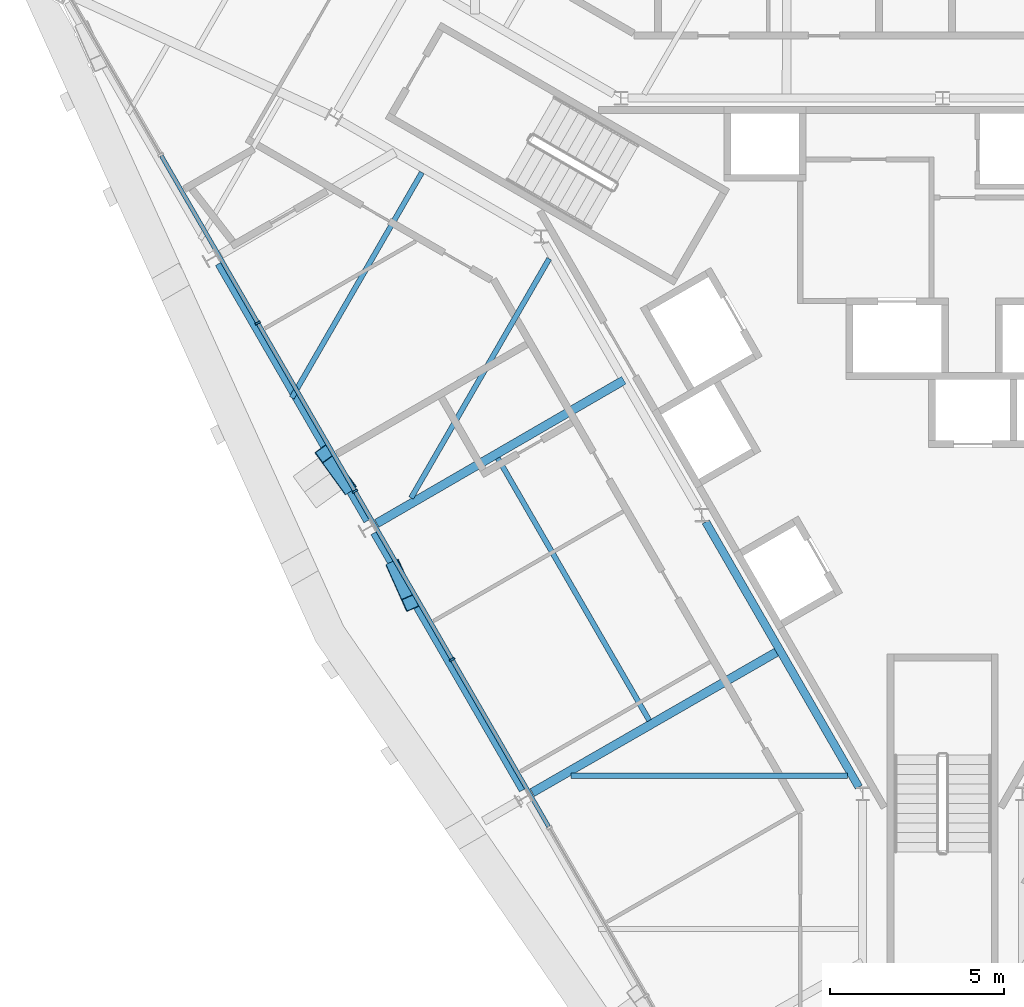
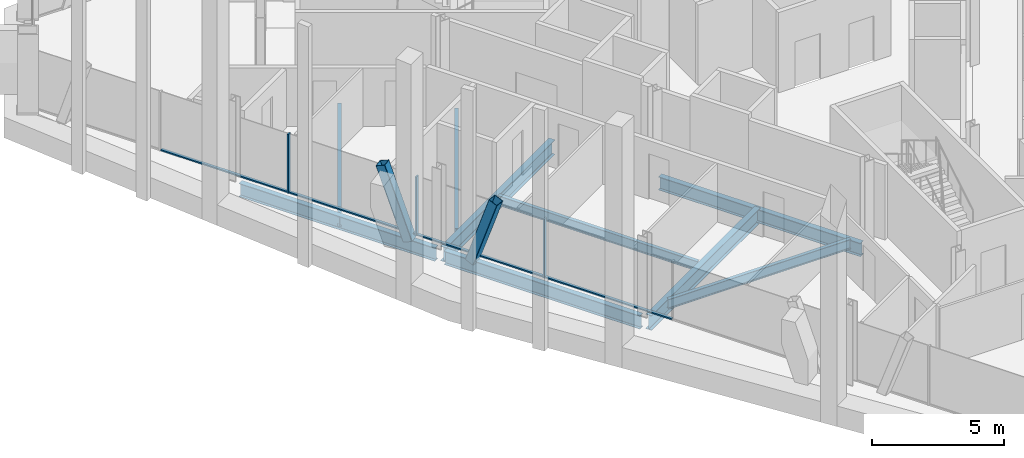
# One storey, part 4 of 16: 9 beams, 9 members, 1 element without a shape of its own.
"""IFC4 building model written with IfcOpenShell, lengths in metres."""

from ifc_helpers import new_model, si_unit, direction, frame, origin, origin_2d, place, context, subcontext, project, spatial, rectangle, hollow_rectangle, i_section, extrude, material, material_profile, profile_set, type_object, element, aggregate, save


model = new_model("IFC4")

# Units and contexts
model_context = context("Model", 3, precision=1e-05, world=origin(), true_north=direction((0.0, 1.0)))
body_context = subcontext(model_context, "Body", "Model", "MODEL_VIEW")
ifc_project = project(units=[si_unit("LENGTHUNIT", "METRE"), si_unit("AREAUNIT", "SQUARE_METRE"), si_unit("VOLUMEUNIT", "CUBIC_METRE"), si_unit("PLANEANGLEUNIT", "RADIAN"), si_unit("MASSUNIT", "GRAM", prefix="KILO")], contexts=[model_context])

# Site, building, storey
site_placement = place(None, origin())
site = spatial("IfcSite", under=ifc_project, at=site_placement, CompositionType="ELEMENT")
building_placement = place(site_placement, origin())
building = spatial("IfcBuilding", under=site, at=building_placement, Name="Verrane Prism Tower", CompositionType="ELEMENT")
storey_placement = place(building_placement, frame((0.0, 0.0, 236.0)))
storey = spatial("IfcBuildingStorey", under=building, at=storey_placement, Name="L59", CompositionType="ELEMENT", Elevation=236.0)

# Beam
ifc_material_1 = material(Name="Steel A992", Category="steel")
ifc_material_profile_1 = material_profile(ifc_material_1, i_section(OverallWidth=0.23046875, OverallDepth=0.6171875, WebThickness=0.01318359375, FlangeThickness=0.022216796875, FilletRadius=0.012939453125, at=origin_2d()), Name="W24x94")
ifc_profile_set_1 = profile_set([ifc_material_profile_1], Name="Steel A992")
beam_type_1 = type_object("IfcBeamType", Name="Core ring girder W24x94", PredefinedType="BEAM", material=ifc_profile_set_1)
beam_1_placement = place(storey_placement, frame((-6.818603515625, -4.193115234375, -0.55859375), z_axis=(0.499987781028, -0.866032458297, 0.0), x_axis=(0.866032458297, 0.499987781028, 0.0)))
element("IfcBeam", 1, at=beam_1_placement, inside=storey, type_object=beam_type_1, Name="Core ring girder L59", PredefinedType="BEAM", context=body_context, shape_type="SweptSolid", body=[
    extrude(i_section(OverallWidth=0.23046875, OverallDepth=0.6171875, WebThickness=0.01318359375, FlangeThickness=0.022216796875, FilletRadius=0.012939453125, at=origin_2d()), origin(), (0.0, 0.0, 1.0), 8.814697265625),
])

# Members
ifc_material_2 = material(Name="Steel A500 Grade C", Category="steel")
ifc_material_profile_2 = material_profile(ifc_material_2, hollow_rectangle(XDim=0.406494140625, YDim=0.406494140625, WallThickness=0.01904296875, InnerFilletRadius=0.009521484375, OuterFilletRadius=0.028564453125, at=origin_2d()), Name="HSS16x16x3/4")
ifc_profile_set_2 = profile_set([ifc_material_profile_2], Name="Steel A500 Grade C")
member_type_1 = type_object("IfcMemberType", Name="Facade brace HSS16x16x3/4", PredefinedType="BRACE", material=ifc_profile_set_2)
member_1_placement = place(storey_placement, frame((-17.13671875, -3.150634765625, -0.216796875), z_axis=(-0.195259685921, 0.269661476978, 0.942950869817), x_axis=(-0.809959839754, -0.586485343369, 0.0)))
element("IfcMember", 2, at=member_1_placement, inside=storey, type_object=member_type_1, Name="Facade brace SW1 L59", PredefinedType="BRACE", context=body_context, shape_type="SweptSolid", body=[
    extrude(hollow_rectangle(XDim=0.406494140625, YDim=0.406494140625, WallThickness=0.01904296875, InnerFilletRadius=0.009521484375, OuterFilletRadius=0.028564453125, at=origin_2d()), origin(), (0.0, 0.0, 1.0), 3.3896484375),
])
member_2_placement = place(storey_placement, frame((-15.770263671875, -5.515625, -0.216796875), z_axis=(0.132975288548, -0.298436396773, 0.945120780491), x_axis=(0.913428457808, 0.406999327354, 0.0)))
element("IfcMember", 3, at=member_2_placement, inside=storey, type_object=member_type_1, Name="Facade brace SW2 L59", PredefinedType="BRACE", context=body_context, shape_type="SweptSolid", body=[
    extrude(hollow_rectangle(XDim=0.406494140625, YDim=0.406494140625, WallThickness=0.01904296875, InnerFilletRadius=0.009521484375, OuterFilletRadius=0.028564453125, at=origin_2d()), origin(), (0.0, 0.0, 1.0), 3.3818359375),
])

# Beams
ifc_material_3 = material(Name="Steel A992", Category="steel")
ifc_material_profile_3 = material_profile(ifc_material_3, i_section(OverallWidth=0.15234375, OverallDepth=0.449462890625, WebThickness=0.007568359375, FlangeThickness=0.0107421875, FilletRadius=0.01025390625, at=origin_2d()), Name="W18x35")
ifc_profile_set_3 = profile_set([ifc_material_profile_3], Name="Steel A992")
beam_type_2 = type_object("IfcBeamType", Name="Floor beam W18x35", PredefinedType="BEAM", material=ifc_profile_set_3)
beam_2_placement = place(storey_placement, frame((-15.298095703125, -3.505615234375, -0.384765625), z_axis=(0.49999004381, 0.866031151917, 0.0), x_axis=(-0.866031151917, 0.49999004381, 0.0)))
element("IfcBeam", 4, at=beam_2_placement, inside=storey, type_object=beam_type_2, Name="Floor beam L59", PredefinedType="BEAM", context=body_context, shape_type="SweptSolid", body=[
    extrude(i_section(OverallWidth=0.15234375, OverallDepth=0.449462890625, WebThickness=0.007568359375, FlangeThickness=0.0107421875, FilletRadius=0.01025390625, at=origin_2d()), origin(), (0.0, 0.0, 1.0), 7.950439453125),
])
beam_3_placement = place(storey_placement, frame((-18.731201171875, -0.622802734375, -0.384765625), z_axis=(0.499985869662, 0.866033561785, 0.0), x_axis=(-0.866033561785, 0.499985869662, 0.0)))
element("IfcBeam", 5, at=beam_3_placement, inside=storey, type_object=beam_type_2, Name="Floor beam L59", PredefinedType="BEAM", context=body_context, shape_type="SweptSolid", body=[
    extrude(i_section(OverallWidth=0.15234375, OverallDepth=0.449462890625, WebThickness=0.007568359375, FlangeThickness=0.0107421875, FilletRadius=0.01025390625, at=origin_2d()), origin(), (0.0, 0.0, 1.0), 7.488037109375),
])
beam_4_placement = place(storey_placement, frame((-8.442626953125, -9.90966796875, -0.384765625), z_axis=(-0.500012552615, 0.866018156408, 0.0), x_axis=(-0.866018156408, -0.500012552615, 0.0)))
element("IfcBeam", 6, at=beam_4_placement, inside=storey, type_object=beam_type_2, Name="Floor beam L59", PredefinedType="BEAM", context=body_context, shape_type="SweptSolid", body=[
    extrude(i_section(OverallWidth=0.15234375, OverallDepth=0.449462890625, WebThickness=0.007568359375, FlangeThickness=0.0107421875, FilletRadius=0.01025390625, at=origin_2d()), origin(), (0.0, 0.0, 1.0), 8.717529296875),
])
beam_5_placement = place(storey_placement, frame((-10.689208984375, -11.5, -0.384765625), z_axis=(1.0, 0.0, 0.0), x_axis=(0.0, 1.0, 0.0)))
element("IfcBeam", 7, at=beam_5_placement, inside=storey, type_object=beam_type_2, Name="Floor beam L59", PredefinedType="BEAM", context=body_context, shape_type="SweptSolid", body=[
    extrude(i_section(OverallWidth=0.15234375, OverallDepth=0.449462890625, WebThickness=0.007568359375, FlangeThickness=0.0107421875, FilletRadius=0.01025390625, at=origin_2d()), origin(), (0.0, 0.0, 1.0), 7.95556640625),
])

# Curtain wall, members
ifc_material_4 = material(Name="Aluminium framed insulated glazing", Category="aluminium")
curtain_wall_type = type_object("IfcCurtainWallType", Name="Curtain wall CW-B 5600 module", PredefinedType="NOTDEFINED", material=ifc_material_4)
curtain_wall_placement = place(storey_placement, origin())
curtain_wall = element("IfcCurtainWall", 8, at=curtain_wall_placement, inside=storey, type_object=curtain_wall_type, Name="Glazed curtain wall south-west face L59", PredefinedType="NOTDEFINED")
ifc_material_5 = material(Name="Aluminium alloy 6063-T6", Category="aluminium")
ifc_material_profile_4 = material_profile(ifc_material_5, rectangle(XDim=0.159912109375, YDim=0.06005859375, at=origin_2d()), Name="Mullion 60x160 aluminium")
ifc_profile_set_4 = profile_set([ifc_material_profile_4], Name="Aluminium alloy 6063-T6")
member_type_2 = type_object("IfcMemberType", Name="Mullion 60x160 aluminium", PredefinedType="MULLION", material=ifc_profile_set_4)
member_3_placement = place(storey_placement, frame((-19.707763671875, 1.53125, 0.0), z_axis=(0.0, 0.0, 1.0), x_axis=(0.866025759098, 0.499999384578, 0.0)))
member_3 = element("IfcMember", 9, at=member_3_placement, type_object=member_type_2, Name="CW59.4 mullion 3", PredefinedType="MULLION", context=body_context, shape_type="SweptSolid", body=[
    extrude(rectangle(XDim=0.159912109375, YDim=0.06005859375, at=origin_2d()), origin(), (0.0, 0.0, 1.0), 2.712890625),
])
member_4_placement = place(storey_placement, frame((-16.91259765625, -3.309814453125, 0.0), z_axis=(0.0, 0.0, 1.0), x_axis=(0.866025759098, 0.499999384578, 0.0)))
member_4 = element("IfcMember", 10, at=member_4_placement, type_object=member_type_2, Name="CW59.4 mullion 4", PredefinedType="MULLION", context=body_context, shape_type="SweptSolid", body=[
    extrude(rectangle(XDim=0.159912109375, YDim=0.06005859375, at=origin_2d()), origin(), (0.0, 0.0, 1.0), 2.712890625),
])
member_5_placement = place(storey_placement, frame((-14.11767578125, -8.15087890625, 0.0), z_axis=(0.0, 0.0, 1.0), x_axis=(0.866025759098, 0.499999384578, 0.0)))
member_5 = element("IfcMember", 11, at=member_5_placement, type_object=member_type_2, Name="CW59.4 mullion 5", PredefinedType="MULLION", context=body_context, shape_type="SweptSolid", body=[
    extrude(rectangle(XDim=0.159912109375, YDim=0.06005859375, at=origin_2d()), origin(), (0.0, 0.0, 1.0), 2.712890625),
])

# Beams
ifc_material_6 = material(Name="Steel A992", Category="steel")
ifc_material_profile_5 = material_profile(ifc_material_6, i_section(OverallWidth=0.25390625, OverallDepth=0.683349609375, WebThickness=0.012451171875, FlangeThickness=0.01904296875, FilletRadius=0.01513671875, at=origin_2d()), Name="W27x94")
ifc_profile_set_5 = profile_set([ifc_material_profile_5], Name="Steel A992")
beam_type_3 = type_object("IfcBeamType", Name="Radial girder W27x94", PredefinedType="BEAM", material=ifc_profile_set_5)
beam_6_placement = place(storey_placement, frame((-16.285888671875, -4.237060546875, -0.5615234375), z_axis=(0.865215435762, 0.50140028891, 0.0), x_axis=(-0.50140028891, 0.865215435762, 0.0)))
element("IfcBeam", 12, at=beam_6_placement, inside=storey, type_object=beam_type_3, Name="Radial girder L59", PredefinedType="BEAM", context=body_context, shape_type="SweptSolid", body=[
    extrude(i_section(OverallWidth=0.25390625, OverallDepth=0.683349609375, WebThickness=0.012451171875, FlangeThickness=0.01904296875, FilletRadius=0.01513671875, at=origin_2d()), origin(), (0.0, 0.0, 1.0), 8.22119140625),
])
beam_7_placement = place(storey_placement, frame((-11.810302734375, -11.984619140625, -0.5615234375), z_axis=(0.86684307547, 0.498581069144, 0.0), x_axis=(-0.498581069144, 0.86684307547, 0.0)))
element("IfcBeam", 13, at=beam_7_placement, inside=storey, type_object=beam_type_3, Name="Radial girder L59", PredefinedType="BEAM", context=body_context, shape_type="SweptSolid", body=[
    extrude(i_section(OverallWidth=0.25390625, OverallDepth=0.683349609375, WebThickness=0.012451171875, FlangeThickness=0.01904296875, FilletRadius=0.01513671875, at=origin_2d()), origin(), (0.0, 0.0, 1.0), 8.21875),
])
ifc_material_7 = material(Name="Steel A992", Category="steel")
ifc_material_profile_6 = material_profile(ifc_material_7, i_section(OverallWidth=0.23046875, OverallDepth=0.6171875, WebThickness=0.01318359375, FlangeThickness=0.022216796875, FilletRadius=0.012939453125, at=origin_2d()), Name="W24x94")
ifc_profile_set_6 = profile_set([ifc_material_profile_6], Name="Steel A992")
beam_type_4 = type_object("IfcBeamType", Name="Spandrel beam W24x94", PredefinedType="SPANDREL", material=ifc_profile_set_6)
beam_8_placement = place(storey_placement, frame((-20.829833984375, 3.240478515625, -0.468505859375), z_axis=(0.500352773376, -0.865821634157, 0.0), x_axis=(0.865821634157, 0.500352773376, 0.0)))
element("IfcBeam", 14, at=beam_8_placement, inside=storey, type_object=beam_type_4, Name="Spandrel beam L59", PredefinedType="SPANDREL", context=body_context, shape_type="SweptSolid", body=[
    extrude(i_section(OverallWidth=0.23046875, OverallDepth=0.6171875, WebThickness=0.01318359375, FlangeThickness=0.022216796875, FilletRadius=0.012939453125, at=origin_2d()), origin(), (0.0, 0.0, 1.0), 8.548583984375),
])
beam_9_placement = place(storey_placement, frame((-16.35302734375, -4.506591796875, -0.468505859375), z_axis=(0.50020288696, -0.865908235252, 0.0), x_axis=(0.865908235252, 0.50020288696, 0.0)))
element("IfcBeam", 15, at=beam_9_placement, inside=storey, type_object=beam_type_4, Name="Spandrel beam L59", PredefinedType="SPANDREL", context=body_context, shape_type="SweptSolid", body=[
    extrude(i_section(OverallWidth=0.23046875, OverallDepth=0.6171875, WebThickness=0.01318359375, FlangeThickness=0.022216796875, FilletRadius=0.012939453125, at=origin_2d()), origin(), (0.0, 0.0, 1.0), 8.5478515625),
])

# Member
ifc_material_8 = material(Name="Aluminium alloy 6063-T6", Category="aluminium")
ifc_material_profile_7 = material_profile(ifc_material_8, rectangle(XDim=0.1201171875, YDim=0.06005859375, at=origin_2d()), Name="Transom 60x120 aluminium")
ifc_profile_set_7 = profile_set([ifc_material_profile_7], Name="Aluminium alloy 6063-T6")
member_type_3 = type_object("IfcMemberType", Name="Transom 60x120 aluminium", PredefinedType="USERDEFINED", material=ifc_profile_set_7)
member_6_placement = place(storey_placement, frame((-22.487548828125, 6.34619140625, 0.030029296875), z_axis=(0.499989971015, -0.866031193944, 0.0), x_axis=(0.866031193944, 0.499989971015, 0.0)))
member_6 = element("IfcMember", 16, at=member_6_placement, type_object=member_type_3, Name="CW59.4 transom 2", ObjectType="TRANSOM", PredefinedType="USERDEFINED", context=body_context, shape_type="SweptSolid", body=[
    extrude(rectangle(XDim=0.1201171875, YDim=0.06005859375, at=origin_2d()), origin(), (0.0, 0.0, 1.0), 5.52978515625),
])

member_7_placement = place(storey_placement, frame((-19.692626953125, 1.505126953125, 0.030029296875), z_axis=(0.499989971015, -0.866031193944, 0.0), x_axis=(0.866031193944, 0.499989971015, 0.0)))
member_7 = element("IfcMember", 17, at=member_7_placement, type_object=member_type_3, Name="CW59.4 transom 3", ObjectType="TRANSOM", PredefinedType="USERDEFINED", context=body_context, shape_type="SweptSolid", body=[
    extrude(rectangle(XDim=0.1201171875, YDim=0.06005859375, at=origin_2d()), origin(), (0.0, 0.0, 1.0), 5.52978515625),
])

member_8_placement = place(storey_placement, frame((-16.897705078125, -3.3359375, 0.030029296875), z_axis=(0.499989971015, -0.866031193944, 0.0), x_axis=(0.866031193944, 0.499989971015, 0.0)))
member_8 = element("IfcMember", 18, at=member_8_placement, type_object=member_type_3, Name="CW59.4 transom 4", ObjectType="TRANSOM", PredefinedType="USERDEFINED", context=body_context, shape_type="SweptSolid", body=[
    extrude(rectangle(XDim=0.1201171875, YDim=0.06005859375, at=origin_2d()), origin(), (0.0, 0.0, 1.0), 5.52978515625),
])

member_9_placement = place(storey_placement, frame((-14.102783203125, -8.177001953125, 0.030029296875), z_axis=(0.499989971015, -0.866031193944, 0.0), x_axis=(0.866031193944, 0.499989971015, 0.0)))
member_9 = element("IfcMember", 19, at=member_9_placement, type_object=member_type_3, Name="CW59.4 transom 5", ObjectType="TRANSOM", PredefinedType="USERDEFINED", context=body_context, shape_type="SweptSolid", body=[
    extrude(rectangle(XDim=0.1201171875, YDim=0.06005859375, at=origin_2d()), origin(), (0.0, 0.0, 1.0), 5.52978515625),
])

aggregate(curtain_wall, [member_3, member_4, member_5, member_6, member_7, member_8, member_9])

save(model, "model.ifc")
